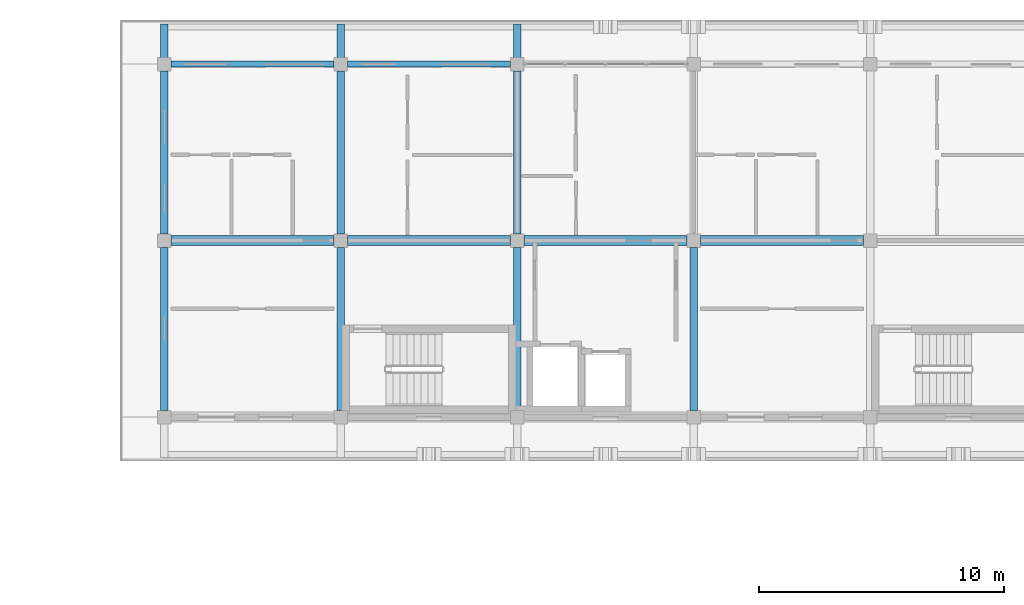
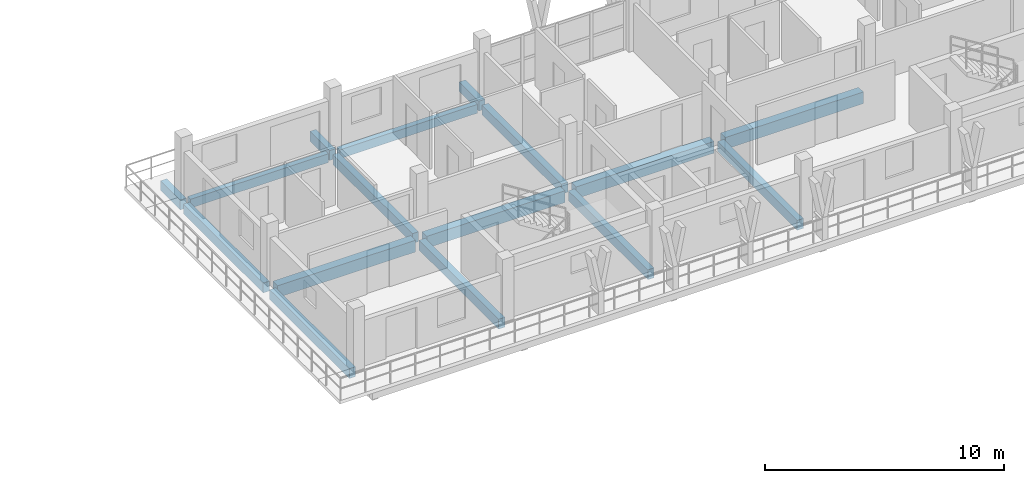
# One storey, part 24 of 65: 16 beams.
"""IFC4 building model written with IfcOpenShell, lengths in metres."""

from ifc_helpers import new_model, si_unit, direction, frame, origin, origin_2d, place, context, subcontext, project, spatial, rectangle, extrude, material, material_profile, profile_set, type_object, element, save


model = new_model("IFC4")

# Units and contexts
model_context = context("Model", 3, precision=1e-05, world=origin(), true_north=direction((0.0, 1.0)))
body_context = subcontext(model_context, "Body", "Model", "MODEL_VIEW")
ifc_project = project(units=[si_unit("LENGTHUNIT", "METRE"), si_unit("AREAUNIT", "SQUARE_METRE"), si_unit("VOLUMEUNIT", "CUBIC_METRE"), si_unit("PLANEANGLEUNIT", "RADIAN"), si_unit("MASSUNIT", "GRAM", prefix="KILO")], contexts=[model_context])

# Site, building, storey
site_placement = place(None, origin())
site = spatial("IfcSite", under=ifc_project, at=site_placement, CompositionType="ELEMENT")
building_placement = place(site_placement, origin())
building = spatial("IfcBuilding", under=site, at=building_placement, Name="Suanplinth Sawtooth Commons", CompositionType="ELEMENT")
storey_placement = place(building_placement, frame((0.0, 0.0, 28.300048828125)))
storey = spatial("IfcBuildingStorey", under=building, at=storey_placement, Name="L08", CompositionType="ELEMENT", Elevation=28.300048828125)

# Beams
ifc_material = material(Name="Precast concrete C40/50", Category="concrete")
ifc_material_profile_1 = material_profile(ifc_material, rectangle(XDim=0.39990234375, YDim=0.60009765625, at=origin_2d()), Name="PC-GDR 400x600")
ifc_profile_set_1 = profile_set([ifc_material_profile_1], Name="Precast concrete C40/50")
beam_type_1 = type_object("IfcBeamType", Name="B-05", PredefinedType="USERDEFINED", material=ifc_profile_set_1)
beam_1_placement = place(storey_placement, frame((129.875, 115.199951171875, -0.510009765625), z_axis=(1.0, 0.0, 0.0), x_axis=(0.0, 1.0, 0.0)))
element("IfcBeam", 1, at=beam_1_placement, inside=storey, type_object=beam_type_1, Name="BMX-L08-B-18-16", ObjectType="GIRDER", PredefinedType="USERDEFINED", context=body_context, shape_type="SweptSolid", body=[
    extrude(rectangle(XDim=0.39990234375, YDim=0.60009765625, at=origin_2d()), origin(), (0.0, 0.0, 1.0), 6.64990234375),
])
for number, where, z_axis, x_axis, name in (
    (2, (137.074951171875, 115.199951171875, -0.510009765625), (1.0, 0.0, 0.0), (0.0, 1.0, 0.0), "BMX-L08-B-19-16"),
    (3, (144.27490234375, 115.199951171875, -0.510009765625), (1.0, 0.0, 0.0), (0.0, 1.0, 0.0), "BMX-L08-B-20-16"),
):
    element("IfcBeam", number, at=place(storey_placement, frame(where, z_axis=z_axis, x_axis=x_axis)), inside=storey, type_object=beam_type_1, Name=name, ObjectType="GIRDER", PredefinedType="USERDEFINED", context=body_context, shape_type="SweptSolid", body=[
        extrude(rectangle(XDim=0.39990234375, YDim=0.60009765625, at=origin_2d()), origin(), (0.0, 0.0, 1.0), 6.650146484375),
    ])
beam_2_placement = place(storey_placement, frame((151.47509765625, 115.199951171875, -0.510009765625), z_axis=(1.0, 0.0, 0.0), x_axis=(0.0, 1.0, 0.0)))
element("IfcBeam", 4, at=beam_2_placement, inside=storey, type_object=beam_type_1, Name="BMX-L08-B-21-16", ObjectType="GIRDER", PredefinedType="USERDEFINED", context=body_context, shape_type="SweptSolid", body=[
    extrude(rectangle(XDim=0.39990234375, YDim=0.60009765625, at=origin_2d()), origin(), (0.0, 0.0, 1.0), 6.64990234375),
])
ifc_material_profile_2 = material_profile(ifc_material, rectangle(XDim=0.300048828125, YDim=0.5, at=origin_2d()), Name="PC-BM 300x500")
ifc_profile_set_2 = profile_set([ifc_material_profile_2], Name="Precast concrete C40/50")
beam_type_2 = type_object("IfcBeamType", Name="B-07", PredefinedType="BEAM", material=ifc_profile_set_2)
beam_3_placement = place(storey_placement, frame((129.60009765625, 108.27490234375, -0.4599609375), z_axis=(0.0, 1.0, 0.0), x_axis=(-1.0, 0.0, 0.0)))
element("IfcBeam", 5, at=beam_3_placement, inside=storey, type_object=beam_type_2, Name="BMY-L08-B-18-15", PredefinedType="BEAM", context=body_context, shape_type="SweptSolid", body=[
    extrude(rectangle(XDim=0.300048828125, YDim=0.5, at=origin_2d()), origin(), (0.0, 0.0, 1.0), 6.650146484375),
])
beam_4_placement = place(storey_placement, frame((129.60009765625, 115.47509765625, -0.4599609375), z_axis=(0.0, 1.0, 0.0), x_axis=(-1.0, 0.0, 0.0)))
element("IfcBeam", 6, at=beam_4_placement, inside=storey, type_object=beam_type_2, Name="BMY-L08-B-18-16", PredefinedType="BEAM", context=body_context, shape_type="SweptSolid", body=[
    extrude(rectangle(XDim=0.300048828125, YDim=0.5, at=origin_2d()), origin(), (0.0, 0.0, 1.0), 6.64990234375),
])
beam_5_placement = place(storey_placement, frame((136.800048828125, 108.27490234375, -0.4599609375), z_axis=(0.0, 1.0, 0.0), x_axis=(-1.0, 0.0, 0.0)))
element("IfcBeam", 7, at=beam_5_placement, inside=storey, type_object=beam_type_2, Name="BMY-L08-B-19-15", PredefinedType="BEAM", context=body_context, shape_type="SweptSolid", body=[
    extrude(rectangle(XDim=0.300048828125, YDim=0.5, at=origin_2d()), origin(), (0.0, 0.0, 1.0), 6.650146484375),
])
beam_6_placement = place(storey_placement, frame((136.800048828125, 115.47509765625, -0.4599609375), z_axis=(0.0, 1.0, 0.0), x_axis=(-1.0, 0.0, 0.0)))
element("IfcBeam", 8, at=beam_6_placement, inside=storey, type_object=beam_type_2, Name="BMY-L08-B-19-16", PredefinedType="BEAM", context=body_context, shape_type="SweptSolid", body=[
    extrude(rectangle(XDim=0.300048828125, YDim=0.5, at=origin_2d()), origin(), (0.0, 0.0, 1.0), 6.64990234375),
])
beam_7_placement = place(storey_placement, frame((144.0, 108.27490234375, -0.4599609375), z_axis=(0.0, 1.0, 0.0), x_axis=(-1.0, 0.0, 0.0)))
element("IfcBeam", 9, at=beam_7_placement, inside=storey, type_object=beam_type_2, Name="BMY-L08-B-20-15", PredefinedType="BEAM", context=body_context, shape_type="SweptSolid", body=[
    extrude(rectangle(XDim=0.300048828125, YDim=0.5, at=origin_2d()), origin(), (0.0, 0.0, 1.0), 6.650146484375),
])
beam_8_placement = place(storey_placement, frame((144.0, 115.47509765625, -0.4599609375), z_axis=(0.0, 1.0, 0.0), x_axis=(-1.0, 0.0, 0.0)))
element("IfcBeam", 10, at=beam_8_placement, inside=storey, type_object=beam_type_2, Name="BMY-L08-B-20-16", PredefinedType="BEAM", context=body_context, shape_type="SweptSolid", body=[
    extrude(rectangle(XDim=0.300048828125, YDim=0.5, at=origin_2d()), origin(), (0.0, 0.0, 1.0), 6.64990234375),
])
beam_9_placement = place(storey_placement, frame((151.199951171875, 108.27490234375, -0.4599609375), z_axis=(0.0, 1.0, 0.0), x_axis=(-1.0, 0.0, 0.0)))
element("IfcBeam", 11, at=beam_9_placement, inside=storey, type_object=beam_type_2, Name="BMY-L08-B-21-15", PredefinedType="BEAM", context=body_context, shape_type="SweptSolid", body=[
    extrude(rectangle(XDim=0.300048828125, YDim=0.5, at=origin_2d()), origin(), (0.0, 0.0, 1.0), 6.650146484375),
])
for number, where, z_axis, x_axis, name in (
    (12, (129.60009765625, 122.39990234375, -0.429931640625), (0.0, 1.0, 0.0), (-1.0, 0.0, 0.0), "Balcony Outrigger L08-B-N-18"),
    (13, (136.800048828125, 122.39990234375, -0.429931640625), (0.0, 1.0, 0.0), (-1.0, 0.0, 0.0), "Balcony Outrigger L08-B-N-19"),
    (14, (144.0, 122.39990234375, -0.429931640625), (0.0, 1.0, 0.0), (-1.0, 0.0, 0.0), "Balcony Outrigger L08-B-N-20"),
):
    element("IfcBeam", number, at=place(storey_placement, frame(where, z_axis=z_axis, x_axis=x_axis)), inside=storey, type_object=beam_type_2, Name=name, PredefinedType="BEAM", context=body_context, shape_type="SweptSolid", body=[
        extrude(rectangle(XDim=0.300048828125, YDim=0.5, at=origin_2d()), origin(), (0.0, 0.0, 1.0), 1.64013671875),
    ])
ifc_material_profile_3 = material_profile(ifc_material, rectangle(XDim=0.25, YDim=0.449951171875, at=origin_2d()), Name="PC-SP 250x450")
ifc_profile_set_3 = profile_set([ifc_material_profile_3], Name="Precast concrete C40/50")
beam_type_3 = type_object("IfcBeamType", Name="B-09", PredefinedType="SPANDREL", material=ifc_profile_set_3)
beam_10_placement = place(storey_placement, frame((129.875, 122.39990234375, -0.43505859375), z_axis=(1.0, 0.0, 0.0), x_axis=(0.0, 1.0, 0.0)))
element("IfcBeam", 15, at=beam_10_placement, inside=storey, type_object=beam_type_3, Name="BMX-L08-B-18-17", PredefinedType="SPANDREL", context=body_context, shape_type="SweptSolid", body=[
    extrude(rectangle(XDim=0.25, YDim=0.449951171875, at=origin_2d()), origin(), (0.0, 0.0, 1.0), 6.64990234375),
])
beam_11_placement = place(storey_placement, frame((137.074951171875, 122.39990234375, -0.43505859375), z_axis=(1.0, 0.0, 0.0), x_axis=(0.0, 1.0, 0.0)))
element("IfcBeam", 16, at=beam_11_placement, inside=storey, type_object=beam_type_3, Name="BMX-L08-B-19-17", PredefinedType="SPANDREL", context=body_context, shape_type="SweptSolid", body=[
    extrude(rectangle(XDim=0.25, YDim=0.449951171875, at=origin_2d()), origin(), (0.0, 0.0, 1.0), 6.650146484375),
])

save(model, "model.ifc")
